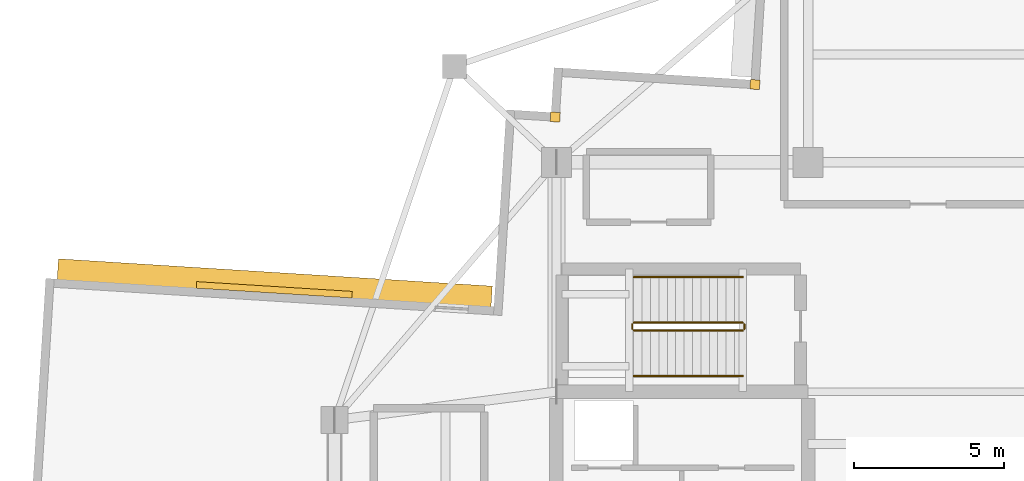
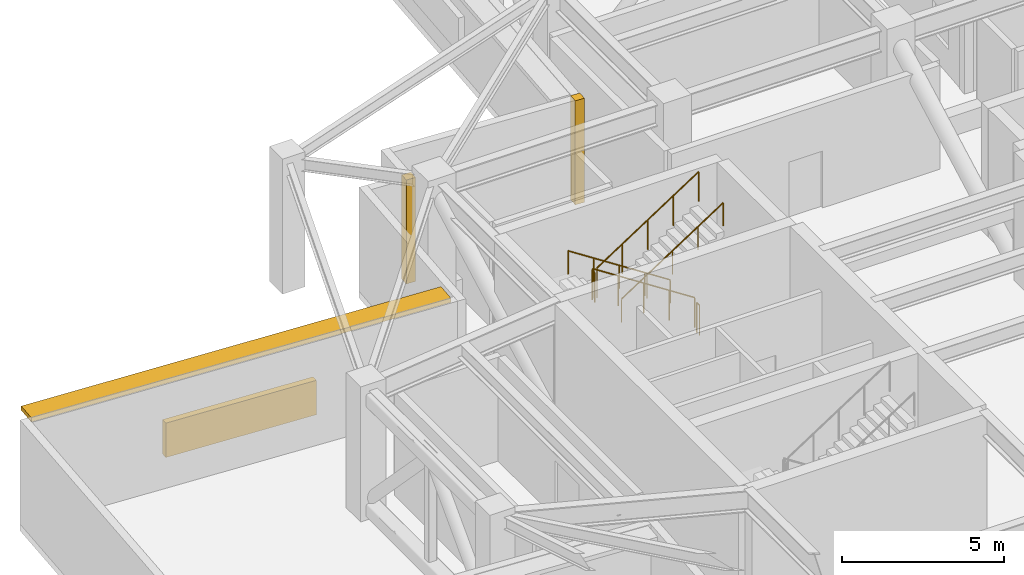
# One storey, part 13 of 14: 6 railings, 2 coverings, 2 shading devices.
"""IFC4 building model written with IfcOpenShell, lengths in metres."""

from ifc_helpers import new_model, si_unit, direction, frame, origin, origin_2d, place, context, subcontext, project, spatial, rectangle, circle, extrude, material, layer, layer_set, type_object, element, save


model = new_model("IFC4")

# Units and contexts
model_context = context("Model", 3, precision=1e-05, world=origin(), true_north=direction((0.0, 1.0)))
body_context = subcontext(model_context, "Body", "Model", "MODEL_VIEW")
ifc_project = project(units=[si_unit("LENGTHUNIT", "METRE"), si_unit("AREAUNIT", "SQUARE_METRE"), si_unit("VOLUMEUNIT", "CUBIC_METRE"), si_unit("PLANEANGLEUNIT", "RADIAN"), si_unit("MASSUNIT", "GRAM", prefix="KILO")], contexts=[model_context])

# Site, building, storey
site_placement = place(None, origin())
site = spatial("IfcSite", under=ifc_project, at=site_placement, CompositionType="ELEMENT")
building_placement = place(site_placement, origin())
building = spatial("IfcBuilding", under=site, at=building_placement, Name="Qingluan Cross Belvedere", CompositionType="ELEMENT")
storey_placement = place(building_placement, frame((0.0, 0.0, 240.300048828125)))
storey = spatial("IfcBuildingStorey", under=building, at=storey_placement, Name="L60", CompositionType="ELEMENT", Elevation=240.300048828125)

# Coverings
ifc_material_1 = material(Name="Precast concrete C45", Category="concrete")
ifc_layer_1 = layer(ifc_material_1, 0.1201171875, Name="ConcreteSpandrelCladding_120")
ifc_layer_set_1 = layer_set([ifc_layer_1], Name="Precast concrete C45")
covering_type = type_object("IfcCoveringType", Name="ConcreteSpandrelCladding_120", PredefinedType="CLADDING", material=ifc_layer_set_1)
for number, where, z_axis, x_axis, name in (
    (1, (-12.438720703125, 14.10888671875, 0.0), (0.0, 0.0, 1.0), (0.998026728428, -0.062790519529, 0.0), "Corner closure L60-NW1"),
    (2, (-5.77734375, 15.192626953125, 0.0), (0.0, 0.0, 1.0), (0.998026728428, -0.062790519529, 0.0), "Corner closure L60-NW2"),
):
    element("IfcCovering", number, at=place(storey_placement, frame(where, z_axis=z_axis, x_axis=x_axis)), inside=storey, type_object=covering_type, Name=name, PredefinedType="CLADDING", context=body_context, shape_type="SweptSolid", body=[
        extrude(rectangle(XDim=0.320068359375, YDim=0.320068359375, at=origin_2d()), origin(), (0.0, 0.0, 1.0), 3.929931640625),
    ])

# Shading devices
ifc_material_2 = material(Name="Precast concrete C45", Category="concrete")
ifc_layer_2 = layer(ifc_material_2, 0.139892578125, Name="ConcreteSunshadeBand_700")
ifc_layer_set_2 = layer_set([ifc_layer_2], Name="Precast concrete C45")
shading_device_type_1 = type_object("IfcShadingDeviceType", Name="ConcreteSunshadeBand_700", PredefinedType="USERDEFINED", material=ifc_layer_set_2)
shading_device_1_placement = place(storey_placement, frame((-21.794677734375, 8.575439453125, 3.75), z_axis=(0.0, 0.0, 1.0), x_axis=(-0.99802639199, 0.062795866837, 0.0)))
element("IfcShadingDevice", 3, at=shading_device_1_placement, inside=storey, type_object=shading_device_type_1, Name="Concrete SUNSHADE L60-WA", ObjectType="SUNSHADE", PredefinedType="USERDEFINED", context=body_context, shape_type="SweptSolid", body=[
    extrude(rectangle(XDim=14.5, YDim=0.699951171875, at=origin_2d()), origin(), (0.0, 0.0, 1.0), 0.159912109375),
])
ifc_material_3 = material(Name="Anodised aluminium acoustic louvre screen", Category="aluminium")
ifc_layer_3 = layer(ifc_material_3, 0.219970703125, Name="RefugeAcousticLouvre_Screen")
ifc_layer_set_3 = layer_set([ifc_layer_3], Name="Anodised aluminium acoustic louvre screen")
shading_device_type_2 = type_object("IfcShadingDeviceType", Name="RefugeAcousticLouvre_Screen", PredefinedType="JALOUSIE", material=ifc_layer_set_3)
shading_device_2_placement = place(storey_placement, frame((-21.80908203125, 8.345947265625, 0.94970703125), z_axis=(0.0, 0.0, 1.0), x_axis=(-0.99802639199, 0.062795866837, 0.0)))
element("IfcShadingDevice", 4, at=shading_device_2_placement, inside=storey, type_object=shading_device_type_2, Name="Plant acoustic louvre SCREEN L60-WA", PredefinedType="JALOUSIE", context=body_context, shape_type="SweptSolid", body=[
    extrude(rectangle(XDim=5.199951171875, YDim=0.219970703125, at=origin_2d()), origin(), (0.0, 0.0, 1.0), 1.300048828125),
])

# Railings
ifc_material_4 = material(Name="Brushed stainless steel tubular handrail", Category="steel")
railing_type_1 = type_object("IfcRailingType", Name="StairPitchHandrail_900", PredefinedType="HANDRAIL", material=ifc_material_4)
railing_1_placement = place(storey_placement, frame((-6.179931640625, 8.77001953125, 0.18212890625)))
element("IfcRailing", 5, at=railing_1_placement, inside=storey, type_object=railing_type_1, Name="L60 ST3 stair handrail 1", PredefinedType="HANDRAIL", context=body_context, shape_type="SweptSolid", body=[
    extrude(circle(Radius=0.02392578125, at=origin_2d()), frame((0.0, 0.0, 0.8759765625), z_axis=(-0.83825089185, 0.0, 0.545284735081), x_axis=(0.0, -1.0, 0.0)), (0.0, 0.0, 1.0), 4.342529296875),
    extrude(circle(Radius=0.02099609375, at=origin_2d()), origin(), (0.0, 0.0, 1.0), 0.851806640625),
    extrude(circle(Radius=0.02099609375, at=origin_2d()), frame((-0.91015625, 0.0, 0.592041015625)), (0.0, 0.0, 1.0), 0.851806640625),
    extrude(circle(Radius=0.02099609375, at=origin_2d()), frame((-1.820068359375, 0.0, 1.18408203125)), (0.0, 0.0, 1.0), 0.851806640625),
    extrude(circle(Radius=0.02099609375, at=origin_2d()), frame((-2.72998046875, 0.0, 1.77587890625)), (0.0, 0.0, 1.0), 0.851806640625),
    extrude(circle(Radius=0.02099609375, at=origin_2d()), frame((-3.64013671875, 0.0, 2.367919921875)), (0.0, 0.0, 1.0), 0.851806640625),
])
railing_2_placement = place(storey_placement, frame((-9.820068359375, 5.469970703125, 2.732177734375)))
element("IfcRailing", 6, at=railing_2_placement, inside=storey, type_object=railing_type_1, Name="L60 ST3 stair handrail 2", PredefinedType="HANDRAIL", context=body_context, shape_type="SweptSolid", body=[
    extrude(circle(Radius=0.02392578125, at=origin_2d()), frame((0.0, 0.0, 0.8759765625), z_axis=(0.838276589377, 0.0, 0.545245228959), x_axis=(0.0, 1.0, 0.0)), (0.0, 0.0, 1.0), 4.34228515625),
    extrude(circle(Radius=0.02099609375, at=origin_2d()), origin(), (0.0, 0.0, 1.0), 0.851806640625),
    extrude(circle(Radius=0.02099609375, at=origin_2d()), frame((0.91015625, 0.0, 0.591796875)), (0.0, 0.0, 1.0), 0.851806640625),
    extrude(circle(Radius=0.02099609375, at=origin_2d()), frame((1.820068359375, 0.0, 1.183837890625)), (0.0, 0.0, 1.0), 0.851806640625),
    extrude(circle(Radius=0.02099609375, at=origin_2d()), frame((2.72998046875, 0.0, 1.77587890625)), (0.0, 0.0, 1.0), 0.851806640625),
    extrude(circle(Radius=0.02099609375, at=origin_2d()), frame((3.64013671875, 0.0, 2.36767578125)), (0.0, 0.0, 1.0), 0.851806640625),
])
ifc_material_5 = material(Name="Painted steel stair well guard", Category="steel")
railing_type_2 = type_object("IfcRailingType", Name="StairWellGuard_1150", PredefinedType="BALUSTRADE", material=ifc_material_5)
railing_3_placement = place(storey_placement, frame((-6.179931640625, 7.25, 0.18212890625)))
element("IfcRailing", 7, at=railing_3_placement, inside=storey, type_object=railing_type_2, Name="L60 ST3 stair guard 1", PredefinedType="BALUSTRADE", context=body_context, shape_type="SweptSolid", body=[
    extrude(circle(Radius=0.02392578125, at=origin_2d()), frame((0.0, 0.0, 1.1259765625), z_axis=(-0.83825089185, 0.0, 0.545284735081), x_axis=(0.0, -1.0, 0.0)), (0.0, 0.0, 1.0), 4.342529296875),
    extrude(circle(Radius=0.02099609375, at=origin_2d()), origin(), (0.0, 0.0, 1.0), 1.101806640625),
    extrude(circle(Radius=0.02099609375, at=origin_2d()), frame((-0.91015625, 0.0, 0.592041015625)), (0.0, 0.0, 1.0), 1.101806640625),
    extrude(circle(Radius=0.02099609375, at=origin_2d()), frame((-1.820068359375, 0.0, 1.18408203125)), (0.0, 0.0, 1.0), 1.101806640625),
    extrude(circle(Radius=0.02099609375, at=origin_2d()), frame((-2.72998046875, 0.0, 1.77587890625)), (0.0, 0.0, 1.0), 1.101806640625),
    extrude(circle(Radius=0.02099609375, at=origin_2d()), frame((-3.64013671875, 0.0, 2.367919921875)), (0.0, 0.0, 1.0), 1.101806640625),
])
railing_4_placement = place(storey_placement, frame((-9.8701171875, 7.199951171875, 2.550048828125)))
element("IfcRailing", 8, at=railing_4_placement, inside=storey, type_object=railing_type_2, Name="L60 ST3 stair guard 2", PredefinedType="BALUSTRADE", context=body_context, shape_type="SweptSolid", body=[
    extrude(circle(Radius=0.02392578125, at=origin_2d()), frame((0.0, 0.0, 1.1259765625), z_axis=(0.0, -1.0, 0.0), x_axis=(1.0, 0.0, 0.0)), (0.0, 0.0, 1.0), 0.159912109375),
    extrude(circle(Radius=0.02099609375, at=origin_2d()), origin(), (0.0, 0.0, 1.0), 1.101806640625),
    extrude(circle(Radius=0.02099609375, at=origin_2d()), frame((0.0, -0.159912109375, 0.0)), (0.0, 0.0, 1.0), 1.101806640625),
])
railing_5_placement = place(storey_placement, frame((-9.820068359375, 6.989990234375, 2.732177734375)))
element("IfcRailing", 9, at=railing_5_placement, inside=storey, type_object=railing_type_2, Name="L60 ST3 stair guard 3", PredefinedType="BALUSTRADE", context=body_context, shape_type="SweptSolid", body=[
    extrude(circle(Radius=0.02392578125, at=origin_2d()), frame((0.0, 0.0, 1.1259765625), z_axis=(0.838276589377, 0.0, 0.545245228959), x_axis=(0.0, 1.0, 0.0)), (0.0, 0.0, 1.0), 4.34228515625),
    extrude(circle(Radius=0.02099609375, at=origin_2d()), origin(), (0.0, 0.0, 1.0), 1.101806640625),
    extrude(circle(Radius=0.02099609375, at=origin_2d()), frame((0.91015625, 0.0, 0.591796875)), (0.0, 0.0, 1.0), 1.101806640625),
    extrude(circle(Radius=0.02099609375, at=origin_2d()), frame((1.820068359375, 0.0, 1.183837890625)), (0.0, 0.0, 1.0), 1.101806640625),
    extrude(circle(Radius=0.02099609375, at=origin_2d()), frame((2.72998046875, 0.0, 1.77587890625)), (0.0, 0.0, 1.0), 1.101806640625),
    extrude(circle(Radius=0.02099609375, at=origin_2d()), frame((3.64013671875, 0.0, 2.36767578125)), (0.0, 0.0, 1.0), 1.101806640625),
])
railing_6_placement = place(storey_placement, frame((-6.1298828125, 7.199951171875, 0.0)))
element("IfcRailing", 10, at=railing_6_placement, inside=storey, type_object=railing_type_2, Name="L60 ST3 stair guard 4", PredefinedType="BALUSTRADE", context=body_context, shape_type="SweptSolid", body=[
    extrude(circle(Radius=0.02392578125, at=origin_2d()), frame((0.0, 0.0, 1.1259765625), z_axis=(0.0, -1.0, 0.0), x_axis=(1.0, 0.0, 0.0)), (0.0, 0.0, 1.0), 0.159912109375),
    extrude(circle(Radius=0.02099609375, at=origin_2d()), origin(), (0.0, 0.0, 1.0), 1.101806640625),
    extrude(circle(Radius=0.02099609375, at=origin_2d()), frame((0.0, -0.159912109375, 0.0)), (0.0, 0.0, 1.0), 1.101806640625),
])

save(model, "model.ifc")
